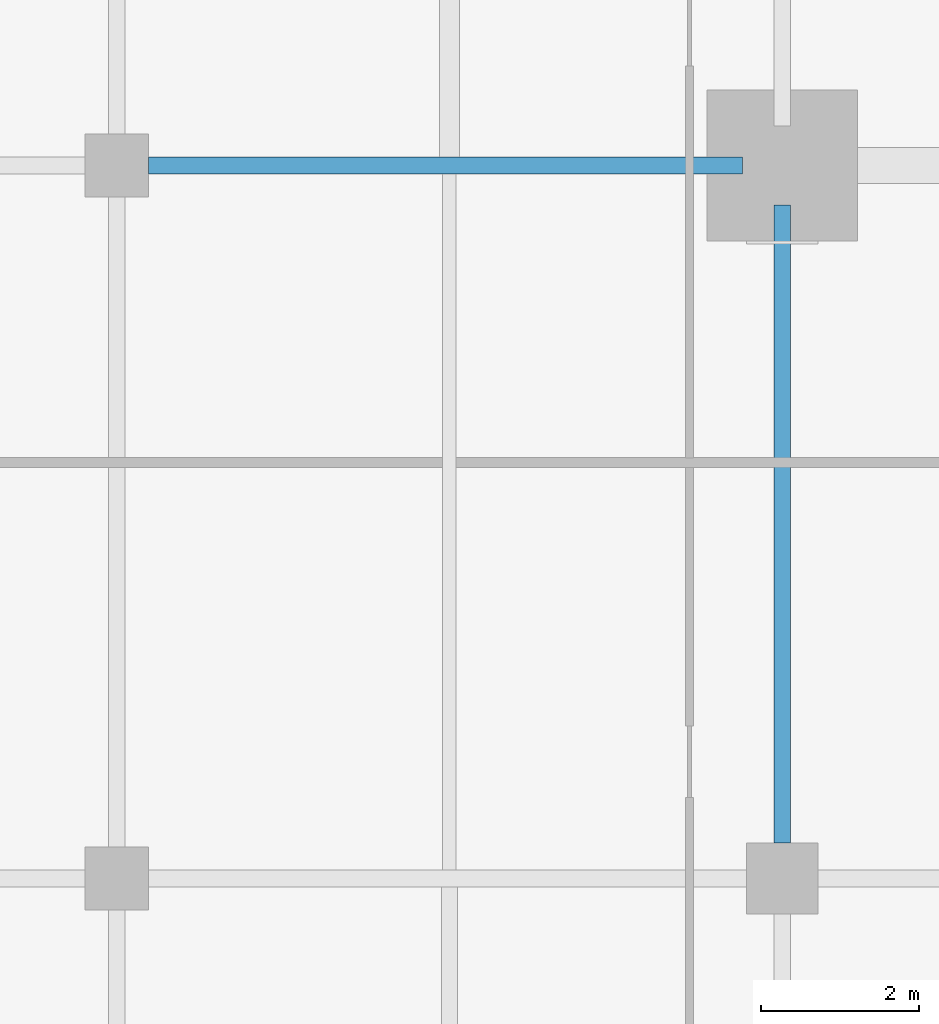
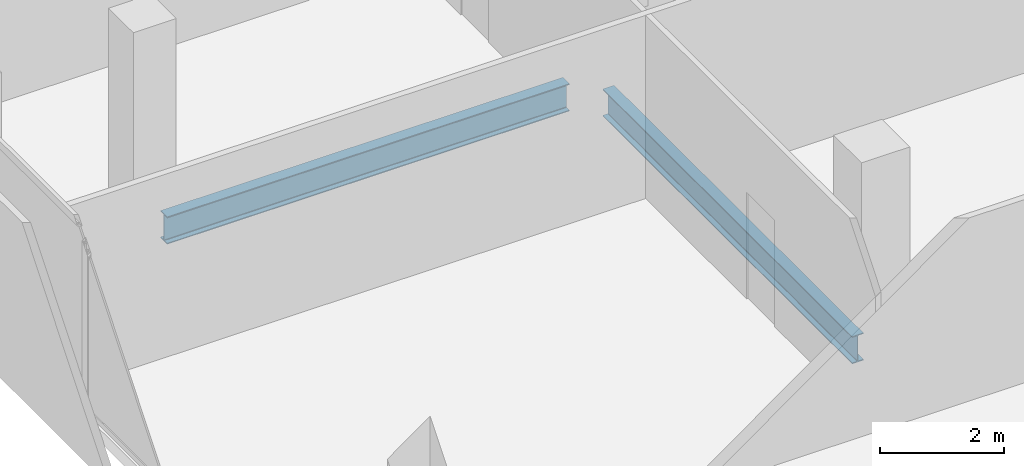
# One storey, part 9 of 33: 2 beams.
"""IFC4 building model written with IfcOpenShell, lengths in metres."""

from ifc_helpers import new_model, si_unit, direction, frame, origin, origin_2d, place, context, subcontext, project, spatial, i_section, extrude, material, material_profile, profile_set, type_object, element, save


model = new_model("IFC4")

# Units and contexts
model_context = context("Model", 3, precision=1e-05, world=origin(), true_north=direction((0.0, 1.0)))
body_context = subcontext(model_context, "Body", "Model", "MODEL_VIEW")
ifc_project = project(units=[si_unit("LENGTHUNIT", "METRE"), si_unit("AREAUNIT", "SQUARE_METRE"), si_unit("VOLUMEUNIT", "CUBIC_METRE"), si_unit("PLANEANGLEUNIT", "RADIAN"), si_unit("MASSUNIT", "GRAM", prefix="KILO")], contexts=[model_context])

# Site, building, storey
site_placement = place(None, origin())
site = spatial("IfcSite", under=ifc_project, at=site_placement, CompositionType="ELEMENT")
building_placement = place(site_placement, origin())
building = spatial("IfcBuilding", under=site, at=building_placement, Name="Maruvema Waterfront Hotel and Observation Tower", CompositionType="ELEMENT")
storey_placement = place(building_placement, frame((0.0, 0.0, 204.39990234375)))
storey = spatial("IfcBuildingStorey", under=building, at=storey_placement, Name="L50", CompositionType="ELEMENT", Elevation=204.39990234375)

# Beams
ifc_material = material(Name="Steel ASTM A572 Grade 50", Category="steel")
ifc_material_profile = material_profile(ifc_material, i_section(OverallWidth=0.2109375, OverallDepth=0.5390625, WebThickness=0.01171875, FlangeThickness=0.018798828125, FilletRadius=0.014892578125, at=origin_2d()), Name="W530x109.0")
ifc_profile_set = profile_set([ifc_material_profile], Name="Steel ASTM A572 Grade 50")
beam_type = type_object("IfcBeamType", Name="Primary Floor Girder W530x109.0", PredefinedType="BEAM", material=ifc_profile_set)
beam_1_placement = place(storey_placement, frame((17.199951171875, 27.0, -0.509521484375), z_axis=(1.0, 0.0, 0.0), x_axis=(0.0, 1.0, 0.0)))
element("IfcBeam", 1, at=beam_1_placement, inside=storey, type_object=beam_type, Name="L50 Floor Girder EW-19", PredefinedType="BEAM", context=body_context, shape_type="SweptSolid", body=[
    extrude(i_section(OverallWidth=0.2109375, OverallDepth=0.5390625, WebThickness=0.01171875, FlangeThickness=0.018798828125, FilletRadius=0.014892578125, at=origin_2d()), origin(), (0.0, 0.0, 1.0), 7.5),
])
beam_2_placement = place(storey_placement, frame((25.199951171875, 18.449951171875, -0.509521484375), z_axis=(0.0, 1.0, 0.0), x_axis=(-1.0, 0.0, 0.0)))
element("IfcBeam", 2, at=beam_2_placement, inside=storey, type_object=beam_type, Name="L50 Floor Girder NS-11", PredefinedType="BEAM", context=body_context, shape_type="SweptSolid", body=[
    extrude(i_section(OverallWidth=0.2109375, OverallDepth=0.5390625, WebThickness=0.01171875, FlangeThickness=0.018798828125, FilletRadius=0.014892578125, at=origin_2d()), origin(), (0.0, 0.0, 1.0), 8.050048828125),
])

save(model, "model.ifc")
